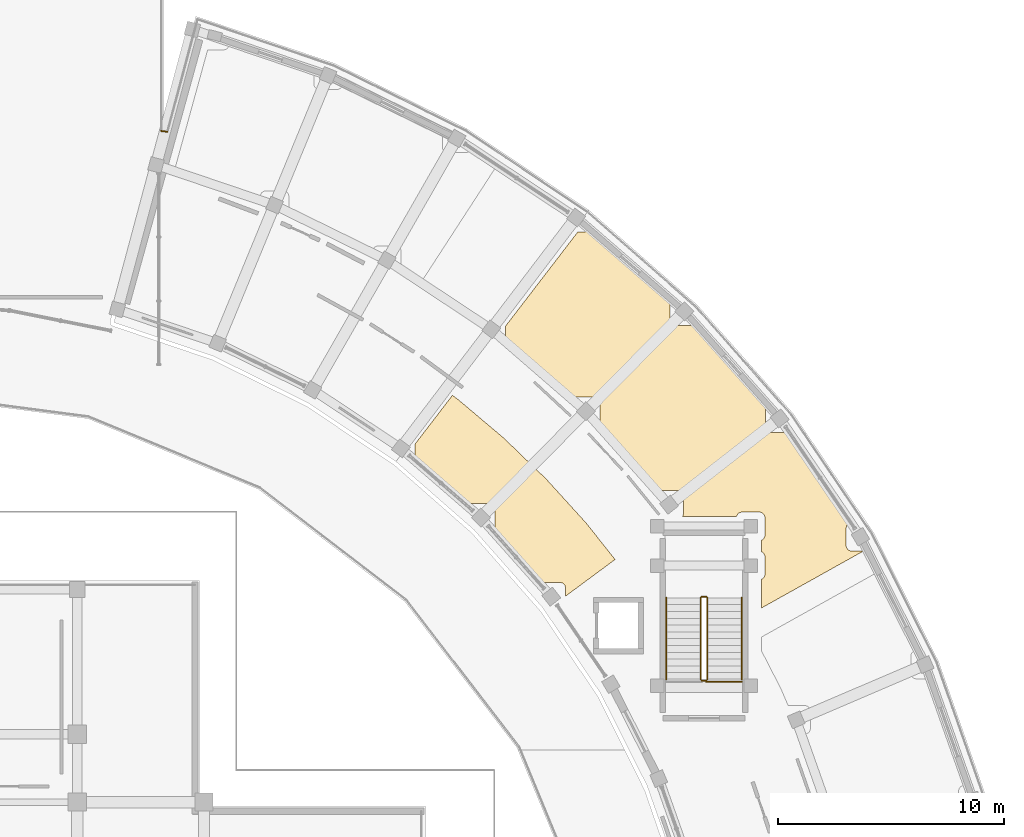
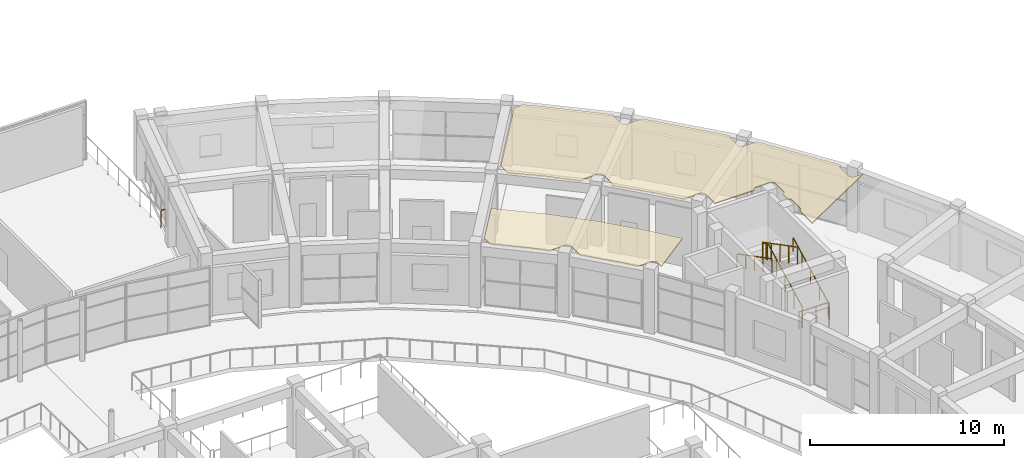
# One storey, part 81 of 83: 8 railings, 2 coverings.
"""IFC4 building model written with IfcOpenShell, lengths in metres."""

from ifc_helpers import new_model, si_unit, direction, frame, origin, origin_2d, place, context, subcontext, project, spatial, polyline, rectangle, outline, extrude, material, layer, layer_set, type_object, element, save


model = new_model("IFC4")

# Units and contexts
model_context = context("Model", 3, precision=1e-05, world=origin(), true_north=direction((0.0, 1.0)))
body_context = subcontext(model_context, "Body", "Model", "MODEL_VIEW")
ifc_project = project(units=[si_unit("LENGTHUNIT", "METRE"), si_unit("AREAUNIT", "SQUARE_METRE"), si_unit("VOLUMEUNIT", "CUBIC_METRE"), si_unit("PLANEANGLEUNIT", "RADIAN"), si_unit("MASSUNIT", "GRAM", prefix="KILO")], contexts=[model_context])

# Site, building, storey
site_placement = place(None, origin())
site = spatial("IfcSite", under=ifc_project, at=site_placement, CompositionType="ELEMENT")
building_placement = place(site_placement, origin())
building = spatial("IfcBuilding", under=site, at=building_placement, Name="Saryqyr Civic Hall", CompositionType="ELEMENT")
storey_placement = place(building_placement, frame((0.0, 0.0, 9.14990234375)))
storey = spatial("IfcBuildingStorey", under=building, at=storey_placement, Name="L02", CompositionType="ELEMENT", Elevation=9.14990234375)

# Coverings
ifc_material_1 = material(Name="Mineral-fibre acoustic ceiling tile", Category="acoustic_tile")
ifc_layer_1 = layer(ifc_material_1, 0.06005859375, Name="Mineral-fibre acoustic ceiling tile")
ifc_layer_set_1 = layer_set([ifc_layer_1], Name="Mineral-fibre acoustic ceiling tile")
covering_type = type_object("IfcCoveringType", Name="INT-COV-CEIL-60", PredefinedType="CEILING", material=ifc_layer_set_1)
covering_1_placement = place(storey_placement, frame((0.0, 0.0, 3.72998046875)))
element("IfcCovering", 1, at=covering_1_placement, inside=storey, type_object=covering_type, Name="Acoustic ceiling Green Parks & Canal Engineering Office", PredefinedType="CEILING", context=body_context, shape_type="SweptSolid", body=[
    extrude(outline(polyline([(94.85888671875, 107.06201171875), (94.878662109375, 107.07666015625), (94.896728515625, 107.09326171875), (94.913330078125, 107.111328125), (94.927978515625, 107.131103515625), (94.9404296875, 107.152099609375), (94.950927734375, 107.17431640625), (94.959228515625, 107.197509765625), (94.965087890625, 107.22119140625), (94.96875, 107.24560546875), (94.969970703125, 107.27001953125), (94.969970703125, 108.030029296875), (94.96875, 108.054443359375), (94.965087890625, 108.078857421875), (94.959228515625, 108.1025390625), (94.950927734375, 108.125732421875), (94.9404296875, 108.147705078125), (94.927978515625, 108.1689453125), (94.913330078125, 108.188720703125), (94.896728515625, 108.206787109375), (94.878662109375, 108.223388671875), (94.85888671875, 108.23779296875), (94.837890625, 108.25048828125), (94.820068359375, 108.2587890625), (94.820068359375, 108.77099609375), (94.837890625, 108.779541015625), (94.85888671875, 108.7919921875), (94.878662109375, 108.806640625), (94.896728515625, 108.8232421875), (94.913330078125, 108.84130859375), (94.927978515625, 108.861083984375), (94.9404296875, 108.882080078125), (94.950927734375, 108.904296875), (94.959228515625, 108.927490234375), (94.965087890625, 108.951171875), (94.96875, 108.9755859375), (94.969970703125, 109.0), (94.969970703125, 109.760009765625), (94.96875, 109.784423828125), (94.965087890625, 109.808837890625), (94.959228515625, 109.83251953125), (94.950927734375, 109.855712890625), (94.9404296875, 109.877685546875), (94.927978515625, 109.89892578125), (94.913330078125, 109.918701171875), (94.896728515625, 109.936767578125), (94.878662109375, 109.953369140625), (94.85888671875, 109.968017578125), (94.837890625, 109.98046875), (94.815673828125, 109.990966796875), (94.79248046875, 109.999267578125), (94.768798828125, 110.005126953125), (94.744384765625, 110.0087890625), (94.719970703125, 110.010009765625), (93.9599609375, 110.010009765625), (93.935546875, 110.0087890625), (93.9111328125, 110.005126953125), (93.887451171875, 109.999267578125), (93.8642578125, 109.990966796875), (93.84228515625, 109.98046875), (93.821044921875, 109.968017578125), (93.801513671875, 109.953369140625), (93.783203125, 109.936767578125), (93.7666015625, 109.918701171875), (93.752197265625, 109.89892578125), (93.739501953125, 109.877685546875), (93.72900390625, 109.855712890625), (93.720703125, 109.83251953125), (93.717529296875, 109.820068359375), (91.328125, 109.820068359375), (91.3388671875, 109.837890625), (91.349365234375, 109.85986328125), (91.357666015625, 109.883056640625), (91.363525390625, 109.90673828125), (91.3671875, 109.93115234375), (91.368408203125, 109.95556640625), (91.368408203125, 110.715576171875), (91.3671875, 110.739990234375), (91.363525390625, 110.764404296875), (91.357666015625, 110.7880859375), (91.349365234375, 110.811279296875), (91.3388671875, 110.83349609375), (91.326416015625, 110.8544921875), (91.311767578125, 110.874267578125), (91.295166015625, 110.892333984375), (91.277099609375, 110.908935546875), (91.25732421875, 110.923583984375), (91.236083984375, 110.93603515625), (91.214111328125, 110.946533203125), (91.19091796875, 110.954833984375), (91.167236328125, 110.960693359375), (91.142822265625, 110.96435546875), (91.118408203125, 110.965576171875), (90.3583984375, 110.965576171875), (90.333984375, 110.96435546875), (90.3095703125, 110.960693359375), (90.285888671875, 110.954833984375), (90.2626953125, 110.946533203125), (90.240478515625, 110.93603515625), (90.219482421875, 110.923583984375), (90.19970703125, 110.908935546875), (90.19189453125, 110.901611328125), (89.22021484375, 112.09619140625), (89.195068359375, 112.125), (87.565185546875, 113.866455078125), (87.581787109375, 113.876220703125), (87.601318359375, 113.890869140625), (87.61962890625, 113.907470703125), (87.635986328125, 113.925537109375), (87.650634765625, 113.9453125), (87.663330078125, 113.96630859375), (87.673828125, 113.988525390625), (87.681884765625, 114.01171875), (87.68798828125, 114.035400390625), (87.691650390625, 114.059814453125), (87.69287109375, 114.084228515625), (87.69287109375, 114.84423828125), (87.691650390625, 114.86865234375), (87.68798828125, 114.89306640625), (87.681884765625, 114.916748046875), (87.673828125, 114.93994140625), (87.663330078125, 114.9619140625), (87.650634765625, 114.983154296875), (87.635986328125, 115.002685546875), (87.61962890625, 115.02099609375), (87.601318359375, 115.03759765625), (87.581787109375, 115.052001953125), (87.560546875, 115.064697265625), (87.53857421875, 115.0751953125), (87.515380859375, 115.08349609375), (87.49169921875, 115.08935546875), (87.46728515625, 115.093017578125), (87.44287109375, 115.09423828125), (86.682861328125, 115.09423828125), (86.658203125, 115.093017578125), (86.634033203125, 115.08935546875), (86.610107421875, 115.08349609375), (86.587158203125, 115.0751953125), (86.56494140625, 115.064697265625), (86.5439453125, 115.052001953125), (86.524169921875, 115.03759765625), (86.506103515625, 115.02099609375), (86.489501953125, 115.002685546875), (86.474853515625, 114.983154296875), (86.46240234375, 114.9619140625), (86.456787109375, 114.950439453125), (85.022705078125, 116.283935546875), (84.993896484375, 116.30908203125), (83.460693359375, 117.548095703125), (83.4736328125, 117.56591796875), (83.486328125, 117.5869140625), (83.496826171875, 117.60888671875), (83.5048828125, 117.632080078125), (83.510986328125, 117.656005859375), (83.5146484375, 117.68017578125), (83.515869140625, 117.70458984375), (83.515869140625, 118.2275390625), (86.71142578125, 122.39208984375), (87.015625, 122.39208984375), (87.0400390625, 122.393310546875), (87.064453125, 122.39697265625), (87.088134765625, 122.403076171875), (87.111328125, 122.4111328125), (87.13330078125, 122.421630859375), (87.154541015625, 122.434326171875), (87.17431640625, 122.448974609375), (87.1923828125, 122.46533203125), (87.196044921875, 122.469482421875), (87.831298828125, 121.956298828125), (90.543212890625, 119.58349609375), (90.802978515625, 119.342041015625), (90.798583984375, 119.329833984375), (90.79248046875, 119.30615234375), (90.788818359375, 119.28173828125), (90.78759765625, 119.25732421875), (90.78759765625, 118.497314453125), (90.788818359375, 118.472900390625), (90.79248046875, 118.448486328125), (90.798583984375, 118.4248046875), (90.806640625, 118.401611328125), (90.817138671875, 118.37939453125), (90.829833984375, 118.3583984375), (90.844482421875, 118.338623046875), (90.86083984375, 118.320556640625), (90.879150390625, 118.303955078125), (90.898681640625, 118.289306640625), (90.919921875, 118.27685546875), (90.94189453125, 118.266357421875), (90.965087890625, 118.258056640625), (90.989013671875, 118.252197265625), (91.01318359375, 118.24853515625), (91.03759765625, 118.247314453125), (91.797607421875, 118.247314453125), (91.822265625, 118.24853515625), (91.846435546875, 118.252197265625), (91.870361328125, 118.258056640625), (91.893310546875, 118.266357421875), (91.902099609375, 118.2705078125), (92.41015625, 117.727294921875), (94.81494140625, 115.004638671875), (95.0625, 114.700439453125), (95.052490234375, 114.689208984375), (95.037841796875, 114.66943359375), (95.025146484375, 114.6484375), (95.0146484375, 114.626220703125), (95.006591796875, 114.603271484375), (95.00048828125, 114.579345703125), (94.996826171875, 114.55517578125), (94.99560546875, 114.530517578125), (94.99560546875, 113.7705078125), (94.996826171875, 113.74609375), (95.00048828125, 113.7216796875), (95.006591796875, 113.697998046875), (95.0146484375, 113.6748046875), (95.025146484375, 113.65283203125), (95.037841796875, 113.631591796875), (95.052490234375, 113.612060546875), (95.06884765625, 113.59375), (95.087158203125, 113.577392578125), (95.106689453125, 113.562744140625), (95.1279296875, 113.550048828125), (95.14990234375, 113.53955078125), (95.173095703125, 113.531494140625), (95.197021484375, 113.525390625), (95.22119140625, 113.521728515625), (95.24560546875, 113.5205078125), (96.005615234375, 113.5205078125), (96.0185546875, 113.521240234375), (98.526123046875, 109.82958984375), (98.705810546875, 109.528076171875), (98.691650390625, 109.521484375), (98.67041015625, 109.5087890625), (98.65087890625, 109.494140625), (98.632568359375, 109.477783203125), (98.6162109375, 109.45947265625), (98.6015625, 109.439697265625), (98.5888671875, 109.418701171875), (98.578369140625, 109.396484375), (98.5703125, 109.37353515625), (98.564208984375, 109.349609375), (98.560546875, 109.325439453125), (98.559326171875, 109.30078125), (98.559326171875, 108.541015625), (98.560546875, 108.516357421875), (98.564208984375, 108.4921875), (98.5703125, 108.46826171875), (98.578369140625, 108.4453125), (98.5888671875, 108.423095703125), (98.6015625, 108.402099609375), (98.6162109375, 108.38232421875), (98.632568359375, 108.364013671875), (98.65087890625, 108.34765625), (98.67041015625, 108.3330078125), (98.691650390625, 108.3203125), (98.713623046875, 108.309814453125), (98.73681640625, 108.3017578125), (98.760498046875, 108.295654296875), (98.784912109375, 108.2919921875), (98.809326171875, 108.291015625), (99.3212890625, 108.291015625), (94.820068359375, 105.776611328125), (94.820068359375, 107.041015625), (94.837890625, 107.049560546875), (94.85888671875, 107.06201171875)])), origin(), (0.0, 0.0, 1.0), 0.06005859375),
])
covering_2_placement = place(storey_placement, frame((0.0, 0.0, 3.72998046875)))
element("IfcCovering", 2, at=covering_2_placement, inside=storey, type_object=covering_type, Name="Acoustic ceiling Engineering Archives & Plan Inspection Room", PredefinedType="CEILING", context=body_context, shape_type="SweptSolid", body=[
    extrude(outline(polyline([(83.024169921875, 109.26318359375), (83.02734375, 109.268798828125), (83.037841796875, 109.290771484375), (83.046142578125, 109.31396484375), (83.052001953125, 109.337646484375), (83.0556640625, 109.362060546875), (83.056884765625, 109.386474609375), (83.056884765625, 110.146484375), (83.0556640625, 110.1708984375), (83.052001953125, 110.1953125), (83.046142578125, 110.218994140625), (83.037841796875, 110.2421875), (83.02734375, 110.264404296875), (83.014892578125, 110.285400390625), (83.000244140625, 110.30517578125), (82.983642578125, 110.3232421875), (82.965576171875, 110.33984375), (82.94580078125, 110.3544921875), (82.9248046875, 110.366943359375), (82.902587890625, 110.37744140625), (82.87939453125, 110.3857421875), (82.855712890625, 110.3916015625), (82.831298828125, 110.395263671875), (82.806884765625, 110.396484375), (82.046875, 110.396484375), (82.0224609375, 110.395263671875), (81.998046875, 110.3916015625), (81.974365234375, 110.3857421875), (81.951171875, 110.37744140625), (81.92919921875, 110.366943359375), (81.907958984375, 110.3544921875), (81.899658203125, 110.34814453125), (81.312255859375, 110.914794921875), (81.28515625, 110.939208984375), (79.52294921875, 112.42626953125), (79.52392578125, 112.44873046875), (79.52392578125, 113.025390625), (81.168212890625, 115.16796875), (81.42529296875, 114.978759765625), (83.42919921875, 113.287841796875), (85.31640625, 111.46728515625), (87.07861328125, 109.525634765625), (88.353515625, 107.91796875), (86.165771484375, 106.298583984375), (86.165771484375, 106.654541015625), (86.16455078125, 106.678955078125), (86.160888671875, 106.703369140625), (86.15478515625, 106.72705078125), (86.146728515625, 106.750244140625), (86.13623046875, 106.772216796875), (86.12353515625, 106.79345703125), (86.10888671875, 106.81298828125), (86.092529296875, 106.831298828125), (86.07421875, 106.847900390625), (86.0546875, 106.8623046875), (86.033447265625, 106.875), (86.011474609375, 106.885498046875), (85.98828125, 106.893798828125), (85.964599609375, 106.899658203125), (85.940185546875, 106.9033203125), (85.915771484375, 106.904541015625), (85.15576171875, 106.904541015625), (85.131103515625, 106.9033203125), (85.10693359375, 106.899658203125), (85.105712890625, 106.8994140625), (84.665771484375, 107.4541015625), (84.64208984375, 107.48193359375), (83.046630859375, 109.239990234375), (83.024169921875, 109.26318359375)])), origin(), (0.0, 0.0, 1.0), 0.06005859375),
])

# Railings
ifc_material_2 = material(Name="Warm brushed brass and laminated glass", Category="glass")
ifc_layer_2 = layer(ifc_material_2, 0.06005859375, Name="Warm brushed brass and laminated glass")
ifc_layer_set_2 = layer_set([ifc_layer_2], Name="Warm brushed brass and laminated glass")
railing_type_1 = type_object("IfcRailingType", Name="INT-RLG-BAL-1100", PredefinedType="BALUSTRADE", material=ifc_layer_set_2)
railing_1_placement = place(storey_placement, frame((92.429931640625, 102.6201171875, 0.15576171875)))
element("IfcRailing", 3, at=railing_1_placement, inside=storey, type_object=railing_type_1, Name="L02 ST-6 stair guard 1", PredefinedType="BALUSTRADE", context=body_context, shape_type="SweptSolid", body=[
    extrude(rectangle(XDim=0.048095703125, YDim=0.048095703125, at=origin_2d()), frame((0.0, 0.0, 1.076171875), z_axis=(0.0, 0.887472880572, 0.460859942119), x_axis=(-1.0, 0.0, 0.0)), (0.0, 0.0, 1.0), 4.056396484375),
    extrude(rectangle(XDim=0.0419921875, YDim=0.0419921875, at=origin_2d()), origin(), (0.0, 0.0, 1.0), 1.052001953125),
    extrude(rectangle(XDim=0.0419921875, YDim=0.0419921875, at=origin_2d()), frame((0.0, 0.89990234375, 0.46728515625)), (0.0, 0.0, 1.0), 1.052001953125),
    extrude(rectangle(XDim=0.0419921875, YDim=0.0419921875, at=origin_2d()), frame((0.0, 1.7998046875, 0.9345703125)), (0.0, 0.0, 1.0), 1.052001953125),
    extrude(rectangle(XDim=0.0419921875, YDim=0.0419921875, at=origin_2d()), frame((0.0, 2.699951171875, 1.402099609375)), (0.0, 0.0, 1.0), 1.052001953125),
    extrude(rectangle(XDim=0.0419921875, YDim=0.0419921875, at=origin_2d()), frame((0.0, 3.599853515625, 1.869384765625)), (0.0, 0.0, 1.0), 1.052001953125),
])
railing_2_placement = place(storey_placement, frame((92.3798828125, 106.27001953125, 2.025146484375)))
element("IfcRailing", 4, at=railing_2_placement, inside=storey, type_object=railing_type_1, Name="L02 ST-6 stair guard 2", PredefinedType="BALUSTRADE", context=body_context, shape_type="SweptSolid", body=[
    extrude(rectangle(XDim=0.048095703125, YDim=0.048095703125, at=origin_2d()), frame((0.0, 0.0, 1.076171875), z_axis=(-1.0, 0.0, 0.0), x_axis=(0.0, -1.0, 0.0)), (0.0, 0.0, 1.0), 0.199951171875),
    extrude(rectangle(XDim=0.0419921875, YDim=0.0419921875, at=origin_2d()), origin(), (0.0, 0.0, 1.0), 1.052001953125),
    extrude(rectangle(XDim=0.0419921875, YDim=0.0419921875, at=origin_2d()), frame((-0.199951171875, 0.0, 0.0)), (0.0, 0.0, 1.0), 1.052001953125),
])
railing_3_placement = place(storey_placement, frame((92.1298828125, 106.219970703125, 2.180908203125)))
element("IfcRailing", 5, at=railing_3_placement, inside=storey, type_object=railing_type_1, Name="L02 ST-6 stair guard 3", PredefinedType="BALUSTRADE", context=body_context, shape_type="SweptSolid", body=[
    extrude(rectangle(XDim=0.048095703125, YDim=0.048095703125, at=origin_2d()), frame((0.0, 0.0, 1.076171875), z_axis=(0.0, -0.887497496945, 0.460812535545), x_axis=(1.0, 0.0, 0.0)), (0.0, 0.0, 1.0), 4.05615234375),
    extrude(rectangle(XDim=0.0419921875, YDim=0.0419921875, at=origin_2d()), origin(), (0.0, 0.0, 1.0), 1.052001953125),
    extrude(rectangle(XDim=0.0419921875, YDim=0.0419921875, at=origin_2d()), frame((0.0, -0.89990234375, 0.46728515625)), (0.0, 0.0, 1.0), 1.052001953125),
    extrude(rectangle(XDim=0.0419921875, YDim=0.0419921875, at=origin_2d()), frame((0.0, -1.7998046875, 0.9345703125)), (0.0, 0.0, 1.0), 1.052001953125),
    extrude(rectangle(XDim=0.0419921875, YDim=0.0419921875, at=origin_2d()), frame((0.0, -2.699951171875, 1.40185546875)), (0.0, 0.0, 1.0), 1.052001953125),
    extrude(rectangle(XDim=0.0419921875, YDim=0.0419921875, at=origin_2d()), frame((0.0, -3.599853515625, 1.869140625)), (0.0, 0.0, 1.0), 1.052001953125),
])
railing_4_placement = place(storey_placement, frame((92.3798828125, 102.570068359375, 0.0)))
element("IfcRailing", 6, at=railing_4_placement, inside=storey, type_object=railing_type_1, Name="L02 ST-6 stair guard 4", PredefinedType="BALUSTRADE", context=body_context, shape_type="SweptSolid", body=[
    extrude(rectangle(XDim=0.048095703125, YDim=0.048095703125, at=origin_2d()), frame((0.0, 0.0, 1.076171875), z_axis=(-1.0, 0.0, 0.0), x_axis=(0.0, -1.0, 0.0)), (0.0, 0.0, 1.0), 0.199951171875),
    extrude(rectangle(XDim=0.0419921875, YDim=0.0419921875, at=origin_2d()), origin(), (0.0, 0.0, 1.0), 1.052001953125),
    extrude(rectangle(XDim=0.0419921875, YDim=0.0419921875, at=origin_2d()), frame((-0.199951171875, 0.0, 0.0)), (0.0, 0.0, 1.0), 1.052001953125),
])
railing_5_placement = place(storey_placement, frame((68.300048828125, 126.846923828125, 0.0)))
element("IfcRailing", 7, at=railing_5_placement, inside=storey, type_object=railing_type_1, Name="Interior deck safety balustrade L02-022", PredefinedType="BALUSTRADE", context=body_context, shape_type="SweptSolid", body=[
    extrude(rectangle(XDim=0.048095703125, YDim=0.048095703125, at=origin_2d()), frame((0.0, 0.0, 1.09619140625), z_axis=(0.991457294924, -0.130431715243, 0.0), x_axis=(0.130431715243, 0.991457294924, 0.0)), (0.0, 0.0, 1.0), 0.277099609375),
    extrude(rectangle(XDim=0.0419921875, YDim=0.0419921875, at=origin_2d()), origin(), (0.0, 0.0, 1.0), 1.072021484375),
    extrude(rectangle(XDim=0.0419921875, YDim=0.0419921875, at=origin_2d()), frame((0.274658203125, -0.0361328125, 0.0)), (0.0, 0.0, 1.0), 1.072021484375),
])
railing_6_placement = place(storey_placement, frame((92.3798828125, 102.52001953125, 0.0)))
element("IfcRailing", 8, at=railing_6_placement, inside=storey, type_object=railing_type_1, Name="Interior deck safety balustrade L02-055", PredefinedType="BALUSTRADE", context=body_context, shape_type="SweptSolid", body=[
    extrude(rectangle(XDim=0.048095703125, YDim=0.048095703125, at=origin_2d()), frame((0.0, 0.0, 1.09619140625), z_axis=(1.0, 0.0, 0.0), x_axis=(0.0, 1.0, 0.0)), (0.0, 0.0, 1.0), 1.5751953125),
    extrude(rectangle(XDim=0.0419921875, YDim=0.0419921875, at=origin_2d()), origin(), (0.0, 0.0, 1.0), 1.072021484375),
    extrude(rectangle(XDim=0.0419921875, YDim=0.0419921875, at=origin_2d()), frame((0.78759765625, 0.0, 0.0)), (0.0, 0.0, 1.0), 1.072021484375),
    extrude(rectangle(XDim=0.0419921875, YDim=0.0419921875, at=origin_2d()), frame((1.5751953125, 0.0, 0.0)), (0.0, 0.0, 1.0), 1.072021484375),
])
ifc_material_3 = material(Name="Stainless steel", Category="steel")
ifc_layer_3 = layer(ifc_material_3, 0.050048828125, Name="Stainless steel")
ifc_layer_set_3 = layer_set([ifc_layer_3], Name="Stainless steel")
railing_type_2 = type_object("IfcRailingType", Name="INT-RLG-HND-900", PredefinedType="HANDRAIL", material=ifc_layer_set_3)
railing_7_placement = place(storey_placement, frame((93.949951171875, 102.6201171875, 0.15576171875)))
element("IfcRailing", 9, at=railing_7_placement, inside=storey, type_object=railing_type_2, Name="L02 ST-6 stair handrail 1", PredefinedType="HANDRAIL", context=body_context, shape_type="SweptSolid", body=[
    extrude(rectangle(XDim=0.048095703125, YDim=0.048095703125, at=origin_2d()), frame((0.0, 0.0, 0.8759765625), z_axis=(0.0, 0.887472880572, 0.460859942119), x_axis=(-1.0, 0.0, 0.0)), (0.0, 0.0, 1.0), 4.056396484375),
    extrude(rectangle(XDim=0.0419921875, YDim=0.0419921875, at=origin_2d()), origin(), (0.0, 0.0, 1.0), 0.851806640625),
    extrude(rectangle(XDim=0.0419921875, YDim=0.0419921875, at=origin_2d()), frame((0.0, 0.89990234375, 0.46728515625)), (0.0, 0.0, 1.0), 0.851806640625),
    extrude(rectangle(XDim=0.0419921875, YDim=0.0419921875, at=origin_2d()), frame((0.0, 1.7998046875, 0.9345703125)), (0.0, 0.0, 1.0), 0.851806640625),
    extrude(rectangle(XDim=0.0419921875, YDim=0.0419921875, at=origin_2d()), frame((0.0, 2.699951171875, 1.402099609375)), (0.0, 0.0, 1.0), 0.851806640625),
    extrude(rectangle(XDim=0.0419921875, YDim=0.0419921875, at=origin_2d()), frame((0.0, 3.599853515625, 1.869384765625)), (0.0, 0.0, 1.0), 0.851806640625),
])
railing_8_placement = place(storey_placement, frame((90.610107421875, 106.219970703125, 2.180908203125)))
element("IfcRailing", 10, at=railing_8_placement, inside=storey, type_object=railing_type_2, Name="L02 ST-6 stair handrail 2", PredefinedType="HANDRAIL", context=body_context, shape_type="SweptSolid", body=[
    extrude(rectangle(XDim=0.048095703125, YDim=0.048095703125, at=origin_2d()), frame((0.0, 0.0, 0.8759765625), z_axis=(0.0, -0.887497496945, 0.460812535545), x_axis=(1.0, 0.0, 0.0)), (0.0, 0.0, 1.0), 4.05615234375),
    extrude(rectangle(XDim=0.0419921875, YDim=0.0419921875, at=origin_2d()), origin(), (0.0, 0.0, 1.0), 0.851806640625),
    extrude(rectangle(XDim=0.0419921875, YDim=0.0419921875, at=origin_2d()), frame((0.0, -0.89990234375, 0.46728515625)), (0.0, 0.0, 1.0), 0.851806640625),
    extrude(rectangle(XDim=0.0419921875, YDim=0.0419921875, at=origin_2d()), frame((0.0, -1.7998046875, 0.9345703125)), (0.0, 0.0, 1.0), 0.851806640625),
    extrude(rectangle(XDim=0.0419921875, YDim=0.0419921875, at=origin_2d()), frame((0.0, -2.699951171875, 1.40185546875)), (0.0, 0.0, 1.0), 0.851806640625),
    extrude(rectangle(XDim=0.0419921875, YDim=0.0419921875, at=origin_2d()), frame((0.0, -3.599853515625, 1.869140625)), (0.0, 0.0, 1.0), 0.851806640625),
])

save(model, "model.ifc")
